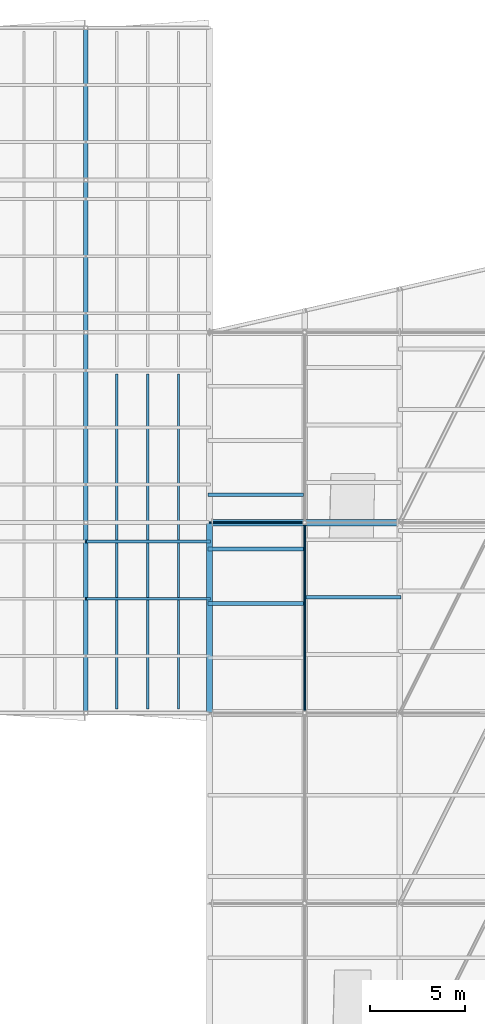
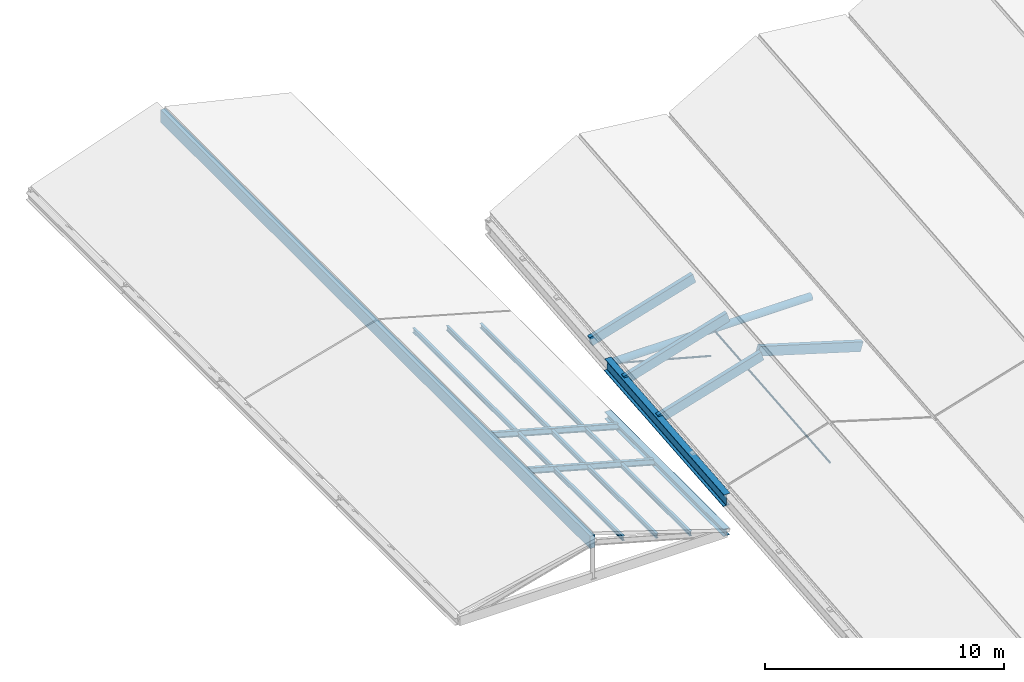
# One storey, part 46 of 90: 11 members, 4 beams.
"""IFC4 building model written with IfcOpenShell, lengths in metres."""

from ifc_helpers import new_model, si_unit, direction, frame, origin, origin_2d, place, context, subcontext, project, spatial, rectangle, circle, hollow_circle, i_section, extrude, material, material_profile, profile_set, type_object, element, save


model = new_model("IFC4")

# Units and contexts
model_context = context("Model", 3, precision=1e-05, world=origin(), true_north=direction((0.0, 1.0)))
body_context = subcontext(model_context, "Body", "Model", "MODEL_VIEW")
ifc_project = project(units=[si_unit("LENGTHUNIT", "METRE"), si_unit("AREAUNIT", "SQUARE_METRE"), si_unit("VOLUMEUNIT", "CUBIC_METRE"), si_unit("PLANEANGLEUNIT", "RADIAN"), si_unit("MASSUNIT", "GRAM", prefix="KILO"), si_unit("THERMODYNAMICTEMPERATUREUNIT", "KELVIN"), si_unit("POWERUNIT", "WATT")], contexts=[model_context])

# Site, building, storey
site_placement = place(None, origin())
site = spatial("IfcSite", under=ifc_project, at=site_placement, CompositionType="ELEMENT")
building_placement = place(site_placement, origin())
building = spatial("IfcBuilding", under=site, at=building_placement, Name="Korenveer Ferry Terminal", CompositionType="ELEMENT")
storey_placement = place(building_placement, frame((0.0, 0.0, 22.199951171875)))
storey = spatial("IfcBuildingStorey", under=building, at=storey_placement, Name="RF", CompositionType="ELEMENT", Elevation=22.199951171875)

# Beams
ifc_material_1 = material(Name="Steel S355", Category="steel")
ifc_material_profile_1 = material_profile(ifc_material_1, i_section(OverallWidth=0.300048828125, OverallDepth=0.360107421875, WebThickness=0.012451171875, FlangeThickness=0.0224609375, FilletRadius=0.027099609375, at=origin_2d()), Name="HEB 360")
ifc_profile_set_1 = profile_set([ifc_material_profile_1], Name="Steel S355")
beam_type_1 = type_object("IfcBeamType", Name="STR-BM-HEB360", PredefinedType="BEAM", material=ifc_profile_set_1)
beam_1_placement = place(storey_placement, frame((53.0, 80.02001953125, -7.619873046875), z_axis=(0.0, 1.0, 0.0), x_axis=(-1.0, 0.0, 0.0)))
element("IfcBeam", 1, at=beam_1_placement, inside=storey, type_object=beam_type_1, Name="Wing eave beam PIERW 195", PredefinedType="BEAM", context=body_context, shape_type="SweptSolid", body=[
    extrude(i_section(OverallWidth=0.300048828125, OverallDepth=0.360107421875, WebThickness=0.012451171875, FlangeThickness=0.0224609375, FilletRadius=0.027099609375, at=origin_2d()), origin(), (0.0, 0.0, 1.0), 9.9599609375),
])
ifc_material_profile_2 = material_profile(ifc_material_1, i_section(OverallWidth=0.300048828125, OverallDepth=0.64990234375, WebThickness=0.01611328125, FlangeThickness=0.031005859375, FilletRadius=0.027099609375, at=origin_2d()), Name="HEB 650")
ifc_profile_set_2 = profile_set([ifc_material_profile_2], Name="Steel S355")
beam_type_2 = type_object("IfcBeamType", Name="STR-BM-HEB650", PredefinedType="BEAM", material=ifc_profile_set_2)
beam_2_placement = place(storey_placement, frame((53.0, 80.0, -5.95361328125), z_axis=(0.0, 0.995903364261, 0.090423940715), x_axis=(-1.0, 0.0, 0.0)))
element("IfcBeam", 2, at=beam_2_placement, inside=storey, type_object=beam_type_2, Name="Folded roof valley girder 21", PredefinedType="BEAM", context=body_context, shape_type="SweptSolid", body=[
    extrude(i_section(OverallWidth=0.300048828125, OverallDepth=0.64990234375, WebThickness=0.01611328125, FlangeThickness=0.031005859375, FilletRadius=0.027099609375, at=origin_2d()), origin(), (0.0, 0.0, 1.0), 10.041015625),
])

# Members
ifc_material_2 = material(Name="High-strength steel S460", Category="steel")
ifc_material_profile_3 = material_profile(ifc_material_2, circle(Radius=0.044921875, at=origin_2d()), Name="ROD D90")
ifc_profile_set_3 = profile_set([ifc_material_profile_3], Name="High-strength steel S460")
member_type_1 = type_object("IfcMemberType", Name="STR-CBL-D90", PredefinedType="USERDEFINED", material=ifc_profile_set_3)
member_1_placement = place(storey_placement, frame((53.0, 90.0, -5.045654296875), z_axis=(0.965424337217, 0.0, -0.260683426993), x_axis=(0.0, 1.0, 0.0)))
element("IfcMember", 3, at=member_1_placement, inside=storey, type_object=member_type_1, Name="Roof tension tie cable 71", ObjectType="CABLE", PredefinedType="USERDEFINED", context=body_context, shape_type="SweptSolid", body=[
    extrude(circle(Radius=0.044921875, at=origin_2d()), origin(), (0.0, 0.0, 1.0), 5.178955078125),
])
member_2_placement = place(storey_placement, frame((58.0, 80.0, -5.7939453125), z_axis=(0.0, 0.995903364261, 0.090423940715), x_axis=(-1.0, 0.0, 0.0)))
element("IfcMember", 4, at=member_2_placement, inside=storey, type_object=member_type_1, Name="Longitudinal jaw-stay cable 102", ObjectType="CABLE", PredefinedType="USERDEFINED", context=body_context, shape_type="SweptSolid", body=[
    extrude(circle(Radius=0.044921875, at=origin_2d()), origin(), (0.0, 0.0, 1.0), 10.041015625),
])
ifc_material_3 = material(Name="Glulam GL28h", Category="wood")
ifc_material_profile_4 = material_profile(ifc_material_3, rectangle(XDim=0.199951171875, YDim=0.47998046875, at=origin_2d()), Name="GL 200x480")
ifc_profile_set_4 = profile_set([ifc_material_profile_4], Name="Glulam GL28h")
member_type_2 = type_object("IfcMemberType", Name="STR-PUR-GL200", PredefinedType="PURLIN", material=ifc_profile_set_4)
for number, where, z_axis, x_axis, name in (
    (5, (53.0, 85.755126953125, -5.272705078125), (0.957310140112, 0.0, 0.289062788401), (0.0, 1.0, 0.0), "Folded roof glulam purlin 26"),
    (6, (53.0, 88.60791015625, -5.013671875), (0.957323074362, 0.0, 0.289019949647), (0.0, 1.0, 0.0), "Folded roof glulam purlin 27"),
    (7, (53.0, 91.46044921875, -4.754638671875), (0.957323074362, 0.0, 0.289019949647), (0.0, 1.0, 0.0), "Folded roof glulam purlin 28"),
    (8, (58.0, 86.081787109375, -3.7333984375), (0.957310140112, 0.0, -0.289062788401), (0.0, 1.0, 0.0), "Folded roof glulam purlin 32"),
):
    element("IfcMember", number, at=place(storey_placement, frame(where, z_axis=z_axis, x_axis=x_axis)), inside=storey, type_object=member_type_2, Name=name, PredefinedType="PURLIN", context=body_context, shape_type="SweptSolid", body=[
        extrude(rectangle(XDim=0.199951171875, YDim=0.47998046875, at=origin_2d()), origin(), (0.0, 0.0, 1.0), 5.222900390625),
    ])
ifc_material_profile_5 = material_profile(ifc_material_1, i_section(OverallWidth=0.1201171875, OverallDepth=0.239990234375, WebThickness=0.006103515625, FlangeThickness=0.009765625, FilletRadius=0.014892578125, at=origin_2d()), Name="IPE 240")
ifc_profile_set_5 = profile_set([ifc_material_profile_5], Name="Steel S355")
member_type_3 = type_object("IfcMemberType", Name="STR-PUR-IPE240", PredefinedType="PURLIN", material=ifc_profile_set_5)
for number, where, z_axis, x_axis, name in (
    (9, (48.125, 80.199951171875, -6.329833984375), (0.0, 1.0, 0.0), (-1.0, 0.0, 0.0), "Pitched wing roof steel purlin 307"),
    (10, (49.75, 80.199951171875, -6.780029296875), (0.0, 1.0, 0.0), (-1.0, 0.0, 0.0), "Pitched wing roof steel purlin 309"),
    (11, (51.375, 80.199951171875, -7.22998046875), (0.0, 1.0, 0.0), (-1.0, 0.0, 0.0), "Pitched wing roof steel purlin 311"),
):
    element("IfcMember", number, at=place(storey_placement, frame(where, z_axis=z_axis, x_axis=x_axis)), inside=storey, type_object=member_type_3, Name=name, PredefinedType="PURLIN", context=body_context, shape_type="SweptSolid", body=[
        extrude(i_section(OverallWidth=0.1201171875, OverallDepth=0.239990234375, WebThickness=0.006103515625, FlangeThickness=0.009765625, FilletRadius=0.014892578125, at=origin_2d()), origin(), (0.0, 0.0, 1.0), 17.60009765625),
    ])
ifc_material_profile_6 = material_profile(ifc_material_1, i_section(OverallWidth=0.14990234375, OverallDepth=0.300048828125, WebThickness=0.007080078125, FlangeThickness=0.0107421875, FilletRadius=0.014892578125, at=origin_2d()), Name="IPE 300")
ifc_profile_set_6 = profile_set([ifc_material_profile_6], Name="Steel S355")
member_type_4 = type_object("IfcMemberType", Name="STR-RAF-IPE300", PredefinedType="RAFTER", material=ifc_profile_set_6)
for number, where, z_axis, x_axis, name in (
    (12, (46.5, 86.0, -5.820068359375), (0.963737469599, 0.0, -0.26685218697), (0.0, 1.0, 0.0), "Pitched roof rafter 134"),
    (13, (46.5, 89.0, -5.820068359375), (0.963737469599, 0.0, -0.26685218697), (0.0, 1.0, 0.0), "Pitched roof rafter 136"),
):
    element("IfcMember", number, at=place(storey_placement, frame(where, z_axis=z_axis, x_axis=x_axis)), inside=storey, type_object=member_type_4, Name=name, PredefinedType="RAFTER", context=body_context, shape_type="SweptSolid", body=[
        extrude(i_section(OverallWidth=0.14990234375, OverallDepth=0.300048828125, WebThickness=0.007080078125, FlangeThickness=0.0107421875, FilletRadius=0.014892578125, at=origin_2d()), origin(), (0.0, 0.0, 1.0), 6.74462890625),
    ])

# Beams
ifc_material_profile_7 = material_profile(ifc_material_1, hollow_circle(Radius=0.177734375, WallThickness=0.01611328125, at=origin_2d()), Name="CHS 355.6x16")
ifc_profile_set_7 = profile_set([ifc_material_profile_7], Name="Steel S355")
beam_type_3 = type_object("IfcBeamType", Name="STR-RFG-CHS355", PredefinedType="USERDEFINED", material=ifc_profile_set_7)
beam_3_placement = place(storey_placement, frame((53.159912109375, 90.0, -5.045654296875), z_axis=(1.0, 0.0, 0.0), x_axis=(0.0, 1.0, 0.0)))
element("IfcBeam", 14, at=beam_3_placement, inside=storey, type_object=beam_type_3, Name="Roof transverse tie girder 124", ObjectType="ROOF GIRDER", PredefinedType="USERDEFINED", context=body_context, shape_type="SweptSolid", body=[
    extrude(hollow_circle(Radius=0.177734375, WallThickness=0.01611328125, at=origin_2d()), origin(), (0.0, 0.0, 1.0), 9.68017578125),
])
ifc_material_profile_8 = material_profile(ifc_material_3, rectangle(XDim=0.239990234375, YDim=0.639892578125, at=origin_2d()), Name="GL 240x640")
ifc_profile_set_8 = profile_set([ifc_material_profile_8], Name="Glulam GL28h")
beam_type_4 = type_object("IfcBeamType", Name="STR-RFG-GL240E", PredefinedType="USERDEFINED", material=ifc_profile_set_8)
beam_4_placement = place(storey_placement, frame((46.5, 80.0, -5.820068359375), z_axis=(0.0, 1.0, 0.0), x_axis=(-1.0, 0.0, 0.0)))
element("IfcBeam", 15, at=beam_4_placement, inside=storey, type_object=beam_type_4, Name="Wing roof glulam ridge beam PIERW", ObjectType="ROOF GIRDER", PredefinedType="USERDEFINED", context=body_context, shape_type="SweptSolid", body=[
    extrude(rectangle(XDim=0.239990234375, YDim=0.639892578125, at=origin_2d()), origin(), (0.0, 0.0, 1.0), 36.0),
])

save(model, "model.ifc")
